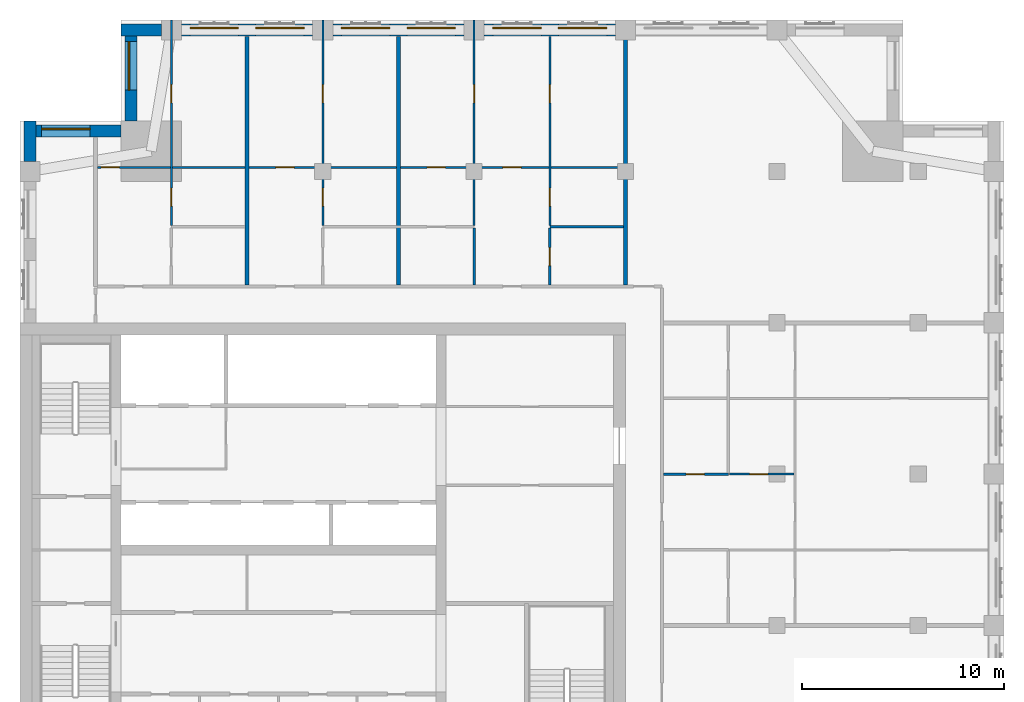
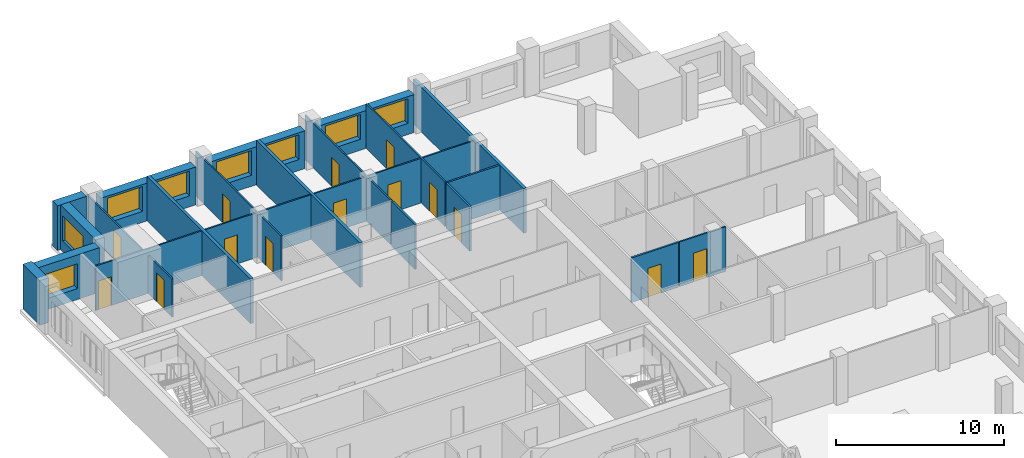
# One storey, part 7 of 11: 20 walls, 14 doors, 8 windows, 22 openings.
"""IFC4 building model written with IfcOpenShell, lengths in metres."""

from ifc_helpers import new_model, si_unit, direction, frame, frame_2d, origin, place, context, subcontext, project, spatial, rectangle, extrude, material, layer, layer_set, type_object, element, fill, save


model = new_model("IFC4")

# Units and contexts
model_context = context("Model", 3, precision=1e-05, world=origin(), true_north=direction((0.0, 1.0)))
body_context = subcontext(model_context, "Body", "Model", "MODEL_VIEW")
ifc_project = project(units=[si_unit("LENGTHUNIT", "METRE"), si_unit("AREAUNIT", "SQUARE_METRE"), si_unit("VOLUMEUNIT", "CUBIC_METRE"), si_unit("PLANEANGLEUNIT", "RADIAN"), si_unit("MASSUNIT", "GRAM", prefix="KILO")], contexts=[model_context])

# Site, building, storey
site_placement = place(None, origin())
site = spatial("IfcSite", under=ifc_project, at=site_placement, CompositionType="ELEMENT")
building_placement = place(site_placement, origin())
building = spatial("IfcBuilding", under=site, at=building_placement, Name="Tamorin Gate", CompositionType="ELEMENT")
storey_placement = place(building_placement, frame((0.0, 0.0, 230.199951171875)))
storey = spatial("IfcBuildingStorey", under=building, at=storey_placement, Name="L57", CompositionType="ELEMENT", Elevation=230.199951171875)

# Wall, openings, windows
ifc_material_1 = material(Name="Precast concrete C40/50", Category="concrete")
ifc_layer_1 = layer(ifc_material_1, 0.60009765625)
ifc_layer_set_1 = layer_set([ifc_layer_1], Name="Precast concrete C40/50")
wall_type_1 = type_object("IfcWallType", Name="Board-marked concrete facade panel 600", PredefinedType="SOLIDWALL", material=ifc_layer_set_1)
wall_1_placement = place(storey_placement, frame((59.5, 97.0, 0.0), z_axis=(0.0, 0.0, 1.0), x_axis=(-1.0, 0.0, 0.0)))
wall_1 = element("IfcWall", 1, at=wall_1_placement, inside=storey, type_object=wall_type_1, Name="Facade panel", PredefinedType="SOLIDWALL", context=body_context, shape_type="SweptSolid", body=[
    extrude(rectangle(XDim=6.5, YDim=0.60009765625, at=frame_2d((3.25, 0.0))), origin(), (0.0, 0.0, 1.0), 2.75),
])
opening_1_placement = place(wall_1_placement, frame((3.675048828125, 0.0, 0.800048828125)))
opening_1 = element("IfcOpeningElement", 2, at=opening_1_placement, cuts=wall_1, Name="Opening WN1", PredefinedType="OPENING", context=body_context, shape_type="SweptSolid", body=[
    extrude(rectangle(XDim=2.39990234375, YDim=1.800048828125, at=frame_2d((1.199951171875, 0.89990234375))), frame((0.0, 0.31005859375, 0.0), z_axis=(0.0, -1.0, 0.0), x_axis=(1.0, 0.0, 0.0)), (0.0, 0.0, 1.0), 0.6201171875),
])
opening_2_placement = place(wall_1_placement, frame((0.425048828125, 0.0, 0.800048828125)))
opening_2 = element("IfcOpeningElement", 3, at=opening_2_placement, cuts=wall_1, Name="Opening WN1", PredefinedType="OPENING", context=body_context, shape_type="SweptSolid", body=[
    extrude(rectangle(XDim=2.39990234375, YDim=1.800048828125, at=frame_2d((1.199951171875, 0.89990234375))), frame((0.0, 0.31005859375, 0.0), z_axis=(0.0, -1.0, 0.0), x_axis=(1.0, 0.0, 0.0)), (0.0, 0.0, 1.0), 0.6201171875),
])
ifc_material_2 = material(Name="Clear glass in aluminium frame", Category="aluminium")
window_type = type_object("IfcWindowType", Name="Deep-set window 2400x1800", PartitioningType="SINGLE_PANEL", PredefinedType="WINDOW", material=ifc_material_2)
window_1_placement = place(opening_1_placement, origin())
window_1 = element("IfcWindow", 4, at=window_1_placement, inside=storey, type_object=window_type, Name="Deep-set window", OverallHeight=1.800048828125, OverallWidth=2.39990234375, PartitioningType="SINGLE_PANEL", PredefinedType="WINDOW", context=body_context, shape_type="SweptSolid", body=[
    extrude(rectangle(XDim=2.39990234375, YDim=1.800048828125, at=frame_2d((1.199951171875, 0.89990234375))), frame((0.0, -0.070068359375, 0.0), z_axis=(0.0, -1.0, 0.0), x_axis=(1.0, 0.0, 0.0)), (0.0, 0.0, 1.0), 0.06005859375),
])
fill(opening_1, window_1)
window_2_placement = place(opening_2_placement, origin())
window_2 = element("IfcWindow", 5, at=window_2_placement, inside=storey, type_object=window_type, Name="Deep-set window", OverallHeight=1.800048828125, OverallWidth=2.39990234375, PartitioningType="SINGLE_PANEL", PredefinedType="WINDOW", context=body_context, shape_type="SweptSolid", body=[
    extrude(rectangle(XDim=2.39990234375, YDim=1.800048828125, at=frame_2d((1.199951171875, 0.89990234375))), frame((0.0, -0.070068359375, 0.0), z_axis=(0.0, -1.0, 0.0), x_axis=(1.0, 0.0, 0.0)), (0.0, 0.0, 1.0), 0.06005859375),
])
fill(opening_2, window_2)

wall_2_placement = place(storey_placement, frame((52.0, 97.0, 0.0), z_axis=(0.0, 0.0, 1.0), x_axis=(-1.0, 0.0, 0.0)))
wall_2 = element("IfcWall", 6, at=wall_2_placement, inside=storey, type_object=wall_type_1, Name="Facade panel", PredefinedType="SOLIDWALL", context=body_context, shape_type="SweptSolid", body=[
    extrude(rectangle(XDim=6.5, YDim=0.60009765625, at=frame_2d((3.25, 0.0))), origin(), (0.0, 0.0, 1.0), 2.75),
])
opening_3_placement = place(wall_2_placement, frame((3.675048828125, 0.0, 0.800048828125)))
opening_3 = element("IfcOpeningElement", 7, at=opening_3_placement, cuts=wall_2, Name="Opening WN1", PredefinedType="OPENING", context=body_context, shape_type="SweptSolid", body=[
    extrude(rectangle(XDim=2.39990234375, YDim=1.800048828125, at=frame_2d((1.199951171875, 0.89990234375))), frame((0.0, 0.31005859375, 0.0), z_axis=(0.0, -1.0, 0.0), x_axis=(1.0, 0.0, 0.0)), (0.0, 0.0, 1.0), 0.6201171875),
])
opening_4_placement = place(wall_2_placement, frame((0.425048828125, 0.0, 0.800048828125)))
opening_4 = element("IfcOpeningElement", 8, at=opening_4_placement, cuts=wall_2, Name="Opening WN1", PredefinedType="OPENING", context=body_context, shape_type="SweptSolid", body=[
    extrude(rectangle(XDim=2.39990234375, YDim=1.800048828125, at=frame_2d((1.199951171875, 0.89990234375))), frame((0.0, 0.31005859375, 0.0), z_axis=(0.0, -1.0, 0.0), x_axis=(1.0, 0.0, 0.0)), (0.0, 0.0, 1.0), 0.6201171875),
])
window_3_placement = place(opening_3_placement, origin())
window_3 = element("IfcWindow", 9, at=window_3_placement, inside=storey, type_object=window_type, Name="Deep-set window", OverallHeight=1.800048828125, OverallWidth=2.39990234375, PartitioningType="SINGLE_PANEL", PredefinedType="WINDOW", context=body_context, shape_type="SweptSolid", body=[
    extrude(rectangle(XDim=2.39990234375, YDim=1.800048828125, at=frame_2d((1.199951171875, 0.89990234375))), frame((0.0, -0.070068359375, 0.0), z_axis=(0.0, -1.0, 0.0), x_axis=(1.0, 0.0, 0.0)), (0.0, 0.0, 1.0), 0.06005859375),
])
fill(opening_3, window_3)
window_4_placement = place(opening_4_placement, origin())
window_4 = element("IfcWindow", 10, at=window_4_placement, inside=storey, type_object=window_type, Name="Deep-set window", OverallHeight=1.800048828125, OverallWidth=2.39990234375, PartitioningType="SINGLE_PANEL", PredefinedType="WINDOW", context=body_context, shape_type="SweptSolid", body=[
    extrude(rectangle(XDim=2.39990234375, YDim=1.800048828125, at=frame_2d((1.199951171875, 0.89990234375))), frame((0.0, -0.070068359375, 0.0), z_axis=(0.0, -1.0, 0.0), x_axis=(1.0, 0.0, 0.0)), (0.0, 0.0, 1.0), 0.06005859375),
])
fill(opening_4, window_4)

wall_3_placement = place(storey_placement, frame((44.5, 97.0, 0.0), z_axis=(0.0, 0.0, 1.0), x_axis=(-1.0, 0.0, 0.0)))
wall_3 = element("IfcWall", 11, at=wall_3_placement, inside=storey, type_object=wall_type_1, Name="Facade panel", PredefinedType="SOLIDWALL", context=body_context, shape_type="SweptSolid", body=[
    extrude(rectangle(XDim=6.5, YDim=0.60009765625, at=frame_2d((3.25, 0.0))), origin(), (0.0, 0.0, 1.0), 2.75),
])
opening_5_placement = place(wall_3_placement, frame((3.675048828125, 0.0, 0.800048828125)))
opening_5 = element("IfcOpeningElement", 12, at=opening_5_placement, cuts=wall_3, Name="Opening WN1", PredefinedType="OPENING", context=body_context, shape_type="SweptSolid", body=[
    extrude(rectangle(XDim=2.39990234375, YDim=1.800048828125, at=frame_2d((1.199951171875, 0.89990234375))), frame((0.0, 0.31005859375, 0.0), z_axis=(0.0, -1.0, 0.0), x_axis=(1.0, 0.0, 0.0)), (0.0, 0.0, 1.0), 0.6201171875),
])
opening_6_placement = place(wall_3_placement, frame((0.425048828125, 0.0, 0.800048828125)))
opening_6 = element("IfcOpeningElement", 13, at=opening_6_placement, cuts=wall_3, Name="Opening WN1", PredefinedType="OPENING", context=body_context, shape_type="SweptSolid", body=[
    extrude(rectangle(XDim=2.39990234375, YDim=1.800048828125, at=frame_2d((1.199951171875, 0.89990234375))), frame((0.0, 0.31005859375, 0.0), z_axis=(0.0, -1.0, 0.0), x_axis=(1.0, 0.0, 0.0)), (0.0, 0.0, 1.0), 0.6201171875),
])
window_5_placement = place(opening_5_placement, origin())
window_5 = element("IfcWindow", 14, at=window_5_placement, inside=storey, type_object=window_type, Name="Deep-set window", OverallHeight=1.800048828125, OverallWidth=2.39990234375, PartitioningType="SINGLE_PANEL", PredefinedType="WINDOW", context=body_context, shape_type="SweptSolid", body=[
    extrude(rectangle(XDim=2.39990234375, YDim=1.800048828125, at=frame_2d((1.199951171875, 0.89990234375))), frame((0.0, -0.070068359375, 0.0), z_axis=(0.0, -1.0, 0.0), x_axis=(1.0, 0.0, 0.0)), (0.0, 0.0, 1.0), 0.06005859375),
])
fill(opening_5, window_5)
window_6_placement = place(opening_6_placement, origin())
window_6 = element("IfcWindow", 15, at=window_6_placement, inside=storey, type_object=window_type, Name="Deep-set window", OverallHeight=1.800048828125, OverallWidth=2.39990234375, PartitioningType="SINGLE_PANEL", PredefinedType="WINDOW", context=body_context, shape_type="SweptSolid", body=[
    extrude(rectangle(XDim=2.39990234375, YDim=1.800048828125, at=frame_2d((1.199951171875, 0.89990234375))), frame((0.0, -0.070068359375, 0.0), z_axis=(0.0, -1.0, 0.0), x_axis=(1.0, 0.0, 0.0)), (0.0, 0.0, 1.0), 0.06005859375),
])
fill(opening_6, window_6)

# Wall
wall_4_placement = place(storey_placement, frame((37.0, 97.0, 0.0), z_axis=(0.0, 0.0, 1.0), x_axis=(-1.0, 0.0, 0.0)))
element("IfcWall", 16, at=wall_4_placement, inside=storey, type_object=wall_type_1, Name="Facade panel", PredefinedType="SOLIDWALL", context=body_context, shape_type="SweptSolid", body=[
    extrude(rectangle(XDim=2.0, YDim=0.60009765625, at=frame_2d((1.0, 0.0))), origin(), (0.0, 0.0, 1.0), 3.25),
])

# Wall, opening, window
wall_5_placement = place(storey_placement, frame((35.5, 96.699951171875, 0.0), z_axis=(0.0, 0.0, 1.0), x_axis=(0.0, -1.0, 0.0)))
wall_5 = element("IfcWall", 17, at=wall_5_placement, inside=storey, type_object=wall_type_1, Name="Facade panel", PredefinedType="SOLIDWALL", context=body_context, shape_type="SweptSolid", body=[
    extrude(rectangle(XDim=4.199951171875, YDim=0.60009765625, at=frame_2d((2.10009765625, 0.0))), origin(), (0.0, 0.0, 1.0), 3.25),
])
opening_7_placement = place(wall_5_placement, frame((0.27490234375, 0.0, 0.800048828125)))
opening_7 = element("IfcOpeningElement", 18, at=opening_7_placement, cuts=wall_5, Name="Opening WN1", PredefinedType="OPENING", context=body_context, shape_type="SweptSolid", body=[
    extrude(rectangle(XDim=2.39990234375, YDim=1.800048828125, at=frame_2d((1.199951171875, 0.89990234375))), frame((0.0, 0.31005859375, 0.0), z_axis=(0.0, -1.0, 0.0), x_axis=(1.0, 0.0, 0.0)), (0.0, 0.0, 1.0), 0.6201171875),
])
window_7_placement = place(opening_7_placement, origin())
window_7 = element("IfcWindow", 19, at=window_7_placement, inside=storey, type_object=window_type, Name="Deep-set window", OverallHeight=1.800048828125, OverallWidth=2.39990234375, PartitioningType="SINGLE_PANEL", PredefinedType="WINDOW", context=body_context, shape_type="SweptSolid", body=[
    extrude(rectangle(XDim=2.39990234375, YDim=1.800048828125, at=frame_2d((1.199951171875, 0.89990234375))), frame((0.0, -0.070068359375, 0.0), z_axis=(0.0, -1.0, 0.0), x_axis=(1.0, 0.0, 0.0)), (0.0, 0.0, 1.0), 0.06005859375),
])
fill(opening_7, window_7)

wall_6_placement = place(storey_placement, frame((35.0, 92.0, 0.0), z_axis=(0.0, 0.0, 1.0), x_axis=(-1.0, 0.0, 0.0)))
wall_6 = element("IfcWall", 20, at=wall_6_placement, inside=storey, type_object=wall_type_1, Name="Facade panel", PredefinedType="SOLIDWALL", context=body_context, shape_type="SweptSolid", body=[
    extrude(rectangle(XDim=4.199951171875, YDim=0.60009765625, at=frame_2d((2.10009765625, 0.0))), origin(), (0.0, 0.0, 1.0), 3.25),
])
opening_8_placement = place(wall_6_placement, frame((1.52490234375, 0.0, 0.800048828125)))
opening_8 = element("IfcOpeningElement", 21, at=opening_8_placement, cuts=wall_6, Name="Opening WN1", PredefinedType="OPENING", context=body_context, shape_type="SweptSolid", body=[
    extrude(rectangle(XDim=2.39990234375, YDim=1.800048828125, at=frame_2d((1.199951171875, 0.89990234375))), frame((0.0, 0.31005859375, 0.0), z_axis=(0.0, -1.0, 0.0), x_axis=(1.0, 0.0, 0.0)), (0.0, 0.0, 1.0), 0.6201171875),
])
window_8_placement = place(opening_8_placement, origin())
window_8 = element("IfcWindow", 22, at=window_8_placement, inside=storey, type_object=window_type, Name="Deep-set window", OverallHeight=1.800048828125, OverallWidth=2.39990234375, PartitioningType="SINGLE_PANEL", PredefinedType="WINDOW", context=body_context, shape_type="SweptSolid", body=[
    extrude(rectangle(XDim=2.39990234375, YDim=1.800048828125, at=frame_2d((1.199951171875, 0.89990234375))), frame((0.0, -0.070068359375, 0.0), z_axis=(0.0, -1.0, 0.0), x_axis=(1.0, 0.0, 0.0)), (0.0, 0.0, 1.0), 0.06005859375),
])
fill(opening_8, window_8)

# Walls
wall_7_placement = place(storey_placement, frame((30.5, 92.5, 0.0), z_axis=(0.0, 0.0, 1.0), x_axis=(0.0, -1.0, 0.0)))
element("IfcWall", 23, at=wall_7_placement, inside=storey, type_object=wall_type_1, Name="Facade panel", PredefinedType="SOLIDWALL", context=body_context, shape_type="SweptSolid", body=[
    extrude(rectangle(XDim=2.0, YDim=0.60009765625, at=frame_2d((1.0, 0.0))), origin(), (0.0, 0.0, 1.0), 3.25),
])
ifc_material_3 = material(Name="Gypsum board partition")
ifc_layer_2 = layer(ifc_material_3, 0.199951171875)
ifc_layer_set_2 = layer_set([ifc_layer_2], Name="Demising wall 200")
wall_type_2 = type_object("IfcWallType", Name="Demising wall 200", PredefinedType="PARTITIONING", material=ifc_layer_set_2)
for number, where, z_axis, x_axis, name in (
    (24, (41.25, 84.375, 0.0), (0.0, 0.0, 1.0), (0.0, 1.0, 0.0), "Demising wall 200"),
    (25, (48.75, 84.375, 0.0), (0.0, 0.0, 1.0), (0.0, 1.0, 0.0), "Demising wall 200"),
):
    element("IfcWall", number, at=place(storey_placement, frame(where, z_axis=z_axis, x_axis=x_axis)), inside=storey, type_object=wall_type_2, Name=name, PredefinedType="PARTITIONING", context=body_context, shape_type="SweptSolid", body=[
        extrude(rectangle(XDim=12.31494140625, YDim=0.199951171875, at=frame_2d((6.157470703125, 0.0))), origin(), (0.0, 0.0, 1.0), 3.25),
    ])
wall_8_placement = place(storey_placement, frame((60.0, 84.375, 0.0), z_axis=(0.0, 0.0, 1.0), x_axis=(0.0, 1.0, 0.0)))
element("IfcWall", 26, at=wall_8_placement, inside=storey, type_object=wall_type_2, Name="Demising wall 200", PredefinedType="PARTITIONING", context=body_context, shape_type="SweptSolid", body=[
    extrude(rectangle(XDim=13.125, YDim=0.199951171875, at=frame_2d((6.5625, 0.0))), origin(), (0.0, 0.0, 1.0), 3.25),
])

# Wall, opening, door
ifc_layer_3 = layer(ifc_material_3, 0.10009765625)
ifc_layer_set_3 = layer_set([ifc_layer_3], Name="Room partition 100")
wall_type_3 = type_object("IfcWallType", Name="Room partition 100", PredefinedType="PARTITIONING", material=ifc_layer_set_3)
wall_9_placement = place(storey_placement, frame((65.16259765625, 75.0, 0.0), z_axis=(0.0, 0.0, 1.0), x_axis=(1.0, 0.0, 0.0)))
wall_9 = element("IfcWall", 27, at=wall_9_placement, inside=storey, type_object=wall_type_3, Name="Room partition 100", PredefinedType="PARTITIONING", context=body_context, shape_type="SweptSolid", body=[
    extrude(rectangle(XDim=3.1875, YDim=0.10009765625, at=frame_2d((1.59375, 0.0))), origin(), (0.0, 0.0, 1.0), 3.25),
])
opening_9_placement = place(wall_9_placement, frame((0.987548828125, 0.0, 0.0)))
opening_9 = element("IfcOpeningElement", 28, at=opening_9_placement, cuts=wall_9, Name="Opening DR7046", PredefinedType="OPENING", context=body_context, shape_type="SweptSolid", body=[
    extrude(rectangle(XDim=0.89990234375, YDim=2.10009765625, at=frame_2d((0.449951171875, 1.050048828125))), frame((0.0, 0.06005859375, 0.0), z_axis=(0.0, -1.0, 0.0), x_axis=(1.0, 0.0, 0.0)), (0.0, 0.0, 1.0), 0.1201171875),
])
ifc_material_4 = material(Name="Timber door leaf", Category="wood")
door_type = type_object("IfcDoorType", Name="Door 900 x 2100", OperationType="NOTDEFINED", PredefinedType="DOOR", material=ifc_material_4)
door_1_placement = place(opening_9_placement, origin())
door_1 = element("IfcDoor", 29, at=door_1_placement, inside=storey, type_object=door_type, Name="Door DR7046", OperationType="SINGLE_SWING_LEFT", OverallHeight=2.10009765625, OverallWidth=0.89990234375, PredefinedType="DOOR", context=body_context, shape_type="SweptSolid", body=[
    extrude(rectangle(XDim=0.89990234375, YDim=2.10009765625, at=frame_2d((0.449951171875, 1.050048828125))), frame((0.0, 0.02490234375, 0.0), z_axis=(0.0, -1.0, 0.0), x_axis=(1.0, 0.0, 0.0)), (0.0, 0.0, 1.0), 0.050048828125),
])
fill(opening_9, door_1)

# Wall, openings, doors
wall_10_placement = place(storey_placement, frame((33.85009765625, 90.199951171875, 0.0), z_axis=(0.0, 0.0, 1.0), x_axis=(1.0, 0.0, 0.0)))
wall_10 = element("IfcWall", 30, at=wall_10_placement, inside=storey, type_object=wall_type_3, Name="Room partition 100", PredefinedType="PARTITIONING", context=body_context, shape_type="SweptSolid", body=[
    extrude(rectangle(XDim=26.0498046875, YDim=0.10009765625, at=frame_2d((13.02490234375, 0.0))), origin(), (0.0, 0.0, 1.0), 3.25),
])
opening_10_placement = place(wall_10_placement, frame((0.175048828125, 0.0, 0.0)))
opening_10 = element("IfcOpeningElement", 31, at=opening_10_placement, cuts=wall_10, Name="Opening DR7023", PredefinedType="OPENING", context=body_context, shape_type="SweptSolid", body=[
    extrude(rectangle(XDim=0.89990234375, YDim=2.10009765625, at=frame_2d((0.449951171875, 1.050048828125))), frame((0.0, 0.06005859375, 0.0), z_axis=(0.0, -1.0, 0.0), x_axis=(1.0, 0.0, 0.0)), (0.0, 0.0, 1.0), 0.1201171875),
])
opening_11_placement = place(wall_10_placement, frame((8.824951171875, 0.0, 0.0)))
opening_11 = element("IfcOpeningElement", 32, at=opening_11_placement, cuts=wall_10, Name="Opening DR7028", PredefinedType="OPENING", context=body_context, shape_type="SweptSolid", body=[
    extrude(rectangle(XDim=0.89990234375, YDim=2.10009765625, at=frame_2d((0.449951171875, 1.050048828125))), frame((0.0, 0.06005859375, 0.0), z_axis=(0.0, -1.0, 0.0), x_axis=(1.0, 0.0, 0.0)), (0.0, 0.0, 1.0), 0.1201171875),
])
opening_12_placement = place(wall_10_placement, frame((16.324951171875, 0.0, 0.0)))
opening_12 = element("IfcOpeningElement", 33, at=opening_12_placement, cuts=wall_10, Name="Opening DR7032", PredefinedType="OPENING", context=body_context, shape_type="SweptSolid", body=[
    extrude(rectangle(XDim=0.89990234375, YDim=2.10009765625, at=frame_2d((0.449951171875, 1.050048828125))), frame((0.0, 0.06005859375, 0.0), z_axis=(0.0, -1.0, 0.0), x_axis=(1.0, 0.0, 0.0)), (0.0, 0.0, 1.0), 0.1201171875),
])
opening_13_placement = place(wall_10_placement, frame((20.074951171875, 0.0, 0.0)))
opening_13 = element("IfcOpeningElement", 34, at=opening_13_placement, cuts=wall_10, Name="Opening DR7035", PredefinedType="OPENING", context=body_context, shape_type="SweptSolid", body=[
    extrude(rectangle(XDim=0.89990234375, YDim=2.10009765625, at=frame_2d((0.449951171875, 1.050048828125))), frame((0.0, 0.06005859375, 0.0), z_axis=(0.0, -1.0, 0.0), x_axis=(1.0, 0.0, 0.0)), (0.0, 0.0, 1.0), 0.1201171875),
])
door_2_placement = place(opening_10_placement, origin())
door_2 = element("IfcDoor", 35, at=door_2_placement, inside=storey, type_object=door_type, Name="Door DR7023", OperationType="SINGLE_SWING_RIGHT", OverallHeight=2.10009765625, OverallWidth=0.89990234375, PredefinedType="DOOR", context=body_context, shape_type="SweptSolid", body=[
    extrude(rectangle(XDim=0.89990234375, YDim=2.10009765625, at=frame_2d((0.449951171875, 1.050048828125))), frame((0.0, 0.02490234375, 0.0), z_axis=(0.0, -1.0, 0.0), x_axis=(1.0, 0.0, 0.0)), (0.0, 0.0, 1.0), 0.050048828125),
])
fill(opening_10, door_2)
door_3_placement = place(opening_11_placement, origin())
door_3 = element("IfcDoor", 36, at=door_3_placement, inside=storey, type_object=door_type, Name="Door DR7028", OperationType="SINGLE_SWING_RIGHT", OverallHeight=2.10009765625, OverallWidth=0.89990234375, PredefinedType="DOOR", context=body_context, shape_type="SweptSolid", body=[
    extrude(rectangle(XDim=0.89990234375, YDim=2.10009765625, at=frame_2d((0.449951171875, 1.050048828125))), frame((0.0, 0.02490234375, 0.0), z_axis=(0.0, -1.0, 0.0), x_axis=(1.0, 0.0, 0.0)), (0.0, 0.0, 1.0), 0.050048828125),
])
fill(opening_11, door_3)
door_4_placement = place(opening_12_placement, origin())
door_4 = element("IfcDoor", 37, at=door_4_placement, inside=storey, type_object=door_type, Name="Door DR7032", OperationType="SINGLE_SWING_RIGHT", OverallHeight=2.10009765625, OverallWidth=0.89990234375, PredefinedType="DOOR", context=body_context, shape_type="SweptSolid", body=[
    extrude(rectangle(XDim=0.89990234375, YDim=2.10009765625, at=frame_2d((0.449951171875, 1.050048828125))), frame((0.0, 0.02490234375, 0.0), z_axis=(0.0, -1.0, 0.0), x_axis=(1.0, 0.0, 0.0)), (0.0, 0.0, 1.0), 0.050048828125),
])
fill(opening_12, door_4)
door_5_placement = place(opening_13_placement, origin())
door_5 = element("IfcDoor", 38, at=door_5_placement, inside=storey, type_object=door_type, Name="Door DR7035", OperationType="SINGLE_SWING_RIGHT", OverallHeight=2.10009765625, OverallWidth=0.89990234375, PredefinedType="DOOR", context=body_context, shape_type="SweptSolid", body=[
    extrude(rectangle(XDim=0.89990234375, YDim=2.10009765625, at=frame_2d((0.449951171875, 1.050048828125))), frame((0.0, 0.02490234375, 0.0), z_axis=(0.0, -1.0, 0.0), x_axis=(1.0, 0.0, 0.0)), (0.0, 0.0, 1.0), 0.050048828125),
])
fill(opening_13, door_5)

wall_11_placement = place(storey_placement, frame((37.5, 87.3125, 0.0), z_axis=(0.0, 0.0, 1.0), x_axis=(0.0, 1.0, 0.0)))
wall_11 = element("IfcWall", 39, at=wall_11_placement, inside=storey, type_object=wall_type_3, Name="Room partition 100", PredefinedType="PARTITIONING", context=body_context, shape_type="SweptSolid", body=[
    extrude(rectangle(XDim=10.1875, YDim=0.10009765625, at=frame_2d((5.09375, 0.0))), origin(), (0.0, 0.0, 1.0), 2.75),
])
opening_14_placement = place(wall_11_placement, frame((0.96240234375, 0.0, 0.0)))
opening_14 = element("IfcOpeningElement", 40, at=opening_14_placement, cuts=wall_11, Name="Opening DR7024", PredefinedType="OPENING", context=body_context, shape_type="SweptSolid", body=[
    extrude(rectangle(XDim=0.89990234375, YDim=2.10009765625, at=frame_2d((0.449951171875, 1.050048828125))), frame((0.0, 0.06005859375, 0.0), z_axis=(0.0, -1.0, 0.0), x_axis=(1.0, 0.0, 0.0)), (0.0, 0.0, 1.0), 0.1201171875),
])
opening_15_placement = place(wall_11_placement, frame((6.08740234375, 0.0, 0.0)))
opening_15 = element("IfcOpeningElement", 41, at=opening_15_placement, cuts=wall_11, Name="Opening DR7026", PredefinedType="OPENING", context=body_context, shape_type="SweptSolid", body=[
    extrude(rectangle(XDim=0.89990234375, YDim=2.10009765625, at=frame_2d((0.449951171875, 1.050048828125))), frame((0.0, 0.06005859375, 0.0), z_axis=(0.0, -1.0, 0.0), x_axis=(1.0, 0.0, 0.0)), (0.0, 0.0, 1.0), 0.1201171875),
])
door_6_placement = place(opening_14_placement, origin())
door_6 = element("IfcDoor", 42, at=door_6_placement, inside=storey, type_object=door_type, Name="Door DR7024", OperationType="SINGLE_SWING_RIGHT", OverallHeight=2.10009765625, OverallWidth=0.89990234375, PredefinedType="DOOR", context=body_context, shape_type="SweptSolid", body=[
    extrude(rectangle(XDim=0.89990234375, YDim=2.10009765625, at=frame_2d((0.449951171875, 1.050048828125))), frame((0.0, 0.02490234375, 0.0), z_axis=(0.0, -1.0, 0.0), x_axis=(1.0, 0.0, 0.0)), (0.0, 0.0, 1.0), 0.050048828125),
])
fill(opening_14, door_6)
door_7_placement = place(opening_15_placement, origin())
door_7 = element("IfcDoor", 43, at=door_7_placement, inside=storey, type_object=door_type, Name="Door DR7026", OperationType="SINGLE_SWING_LEFT", OverallHeight=2.10009765625, OverallWidth=0.89990234375, PredefinedType="DOOR", context=body_context, shape_type="SweptSolid", body=[
    extrude(rectangle(XDim=0.89990234375, YDim=2.10009765625, at=frame_2d((0.449951171875, 1.050048828125))), frame((0.0, 0.02490234375, 0.0), z_axis=(0.0, -1.0, 0.0), x_axis=(1.0, 0.0, 0.0)), (0.0, 0.0, 1.0), 0.050048828125),
])
fill(opening_15, door_7)

wall_12_placement = place(storey_placement, frame((45.0, 87.3125, 0.0), z_axis=(0.0, 0.0, 1.0), x_axis=(0.0, 1.0, 0.0)))
wall_12 = element("IfcWall", 44, at=wall_12_placement, inside=storey, type_object=wall_type_3, Name="Room partition 100", PredefinedType="PARTITIONING", context=body_context, shape_type="SweptSolid", body=[
    extrude(rectangle(XDim=10.1875, YDim=0.10009765625, at=frame_2d((5.09375, 0.0))), origin(), (0.0, 0.0, 1.0), 3.25),
])
opening_16_placement = place(wall_12_placement, frame((0.96240234375, 0.0, 0.0)))
opening_16 = element("IfcOpeningElement", 45, at=opening_16_placement, cuts=wall_12, Name="Opening DR7029", PredefinedType="OPENING", context=body_context, shape_type="SweptSolid", body=[
    extrude(rectangle(XDim=0.89990234375, YDim=2.10009765625, at=frame_2d((0.449951171875, 1.050048828125))), frame((0.0, 0.06005859375, 0.0), z_axis=(0.0, -1.0, 0.0), x_axis=(1.0, 0.0, 0.0)), (0.0, 0.0, 1.0), 0.1201171875),
])
opening_17_placement = place(wall_12_placement, frame((6.08740234375, 0.0, 0.0)))
opening_17 = element("IfcOpeningElement", 46, at=opening_17_placement, cuts=wall_12, Name="Opening DR7031", PredefinedType="OPENING", context=body_context, shape_type="SweptSolid", body=[
    extrude(rectangle(XDim=0.89990234375, YDim=2.10009765625, at=frame_2d((0.449951171875, 1.050048828125))), frame((0.0, 0.06005859375, 0.0), z_axis=(0.0, -1.0, 0.0), x_axis=(1.0, 0.0, 0.0)), (0.0, 0.0, 1.0), 0.1201171875),
])
door_8_placement = place(opening_16_placement, origin())
door_8 = element("IfcDoor", 47, at=door_8_placement, inside=storey, type_object=door_type, Name="Door DR7029", OperationType="SINGLE_SWING_RIGHT", OverallHeight=2.10009765625, OverallWidth=0.89990234375, PredefinedType="DOOR", context=body_context, shape_type="SweptSolid", body=[
    extrude(rectangle(XDim=0.89990234375, YDim=2.10009765625, at=frame_2d((0.449951171875, 1.050048828125))), frame((0.0, 0.02490234375, 0.0), z_axis=(0.0, -1.0, 0.0), x_axis=(1.0, 0.0, 0.0)), (0.0, 0.0, 1.0), 0.050048828125),
])
fill(opening_16, door_8)
door_9_placement = place(opening_17_placement, origin())
door_9 = element("IfcDoor", 48, at=door_9_placement, inside=storey, type_object=door_type, Name="Door DR7031", OperationType="SINGLE_SWING_LEFT", OverallHeight=2.10009765625, OverallWidth=0.89990234375, PredefinedType="DOOR", context=body_context, shape_type="SweptSolid", body=[
    extrude(rectangle(XDim=0.89990234375, YDim=2.10009765625, at=frame_2d((0.449951171875, 1.050048828125))), frame((0.0, 0.02490234375, 0.0), z_axis=(0.0, -1.0, 0.0), x_axis=(1.0, 0.0, 0.0)), (0.0, 0.0, 1.0), 0.050048828125),
])
fill(opening_17, door_9)

# Wall, opening, door
wall_13_placement = place(storey_placement, frame((52.5, 87.3125, 0.0), z_axis=(0.0, 0.0, 1.0), x_axis=(0.0, 1.0, 0.0)))
wall_13 = element("IfcWall", 49, at=wall_13_placement, inside=storey, type_object=wall_type_3, Name="Room partition 100", PredefinedType="PARTITIONING", context=body_context, shape_type="SweptSolid", body=[
    extrude(rectangle(XDim=10.1875, YDim=0.10009765625, at=frame_2d((5.09375, 0.0))), origin(), (0.0, 0.0, 1.0), 3.25),
])
opening_18_placement = place(wall_13_placement, frame((6.08740234375, 0.0, 0.0)))
opening_18 = element("IfcOpeningElement", 50, at=opening_18_placement, cuts=wall_13, Name="Opening DR7038", PredefinedType="OPENING", context=body_context, shape_type="SweptSolid", body=[
    extrude(rectangle(XDim=0.89990234375, YDim=2.10009765625, at=frame_2d((0.449951171875, 1.050048828125))), frame((0.0, 0.06005859375, 0.0), z_axis=(0.0, -1.0, 0.0), x_axis=(1.0, 0.0, 0.0)), (0.0, 0.0, 1.0), 0.1201171875),
])
door_10_placement = place(opening_18_placement, origin())
door_10 = element("IfcDoor", 51, at=door_10_placement, inside=storey, type_object=door_type, Name="Door DR7038", OperationType="SINGLE_SWING_LEFT", OverallHeight=2.10009765625, OverallWidth=0.89990234375, PredefinedType="DOOR", context=body_context, shape_type="SweptSolid", body=[
    extrude(rectangle(XDim=0.89990234375, YDim=2.10009765625, at=frame_2d((0.449951171875, 1.050048828125))), frame((0.0, 0.02490234375, 0.0), z_axis=(0.0, -1.0, 0.0), x_axis=(1.0, 0.0, 0.0)), (0.0, 0.0, 1.0), 0.050048828125),
])
fill(opening_18, door_10)

# Wall, openings, doors
wall_14_placement = place(storey_placement, frame((56.25, 87.3125, 0.0), z_axis=(0.0, 0.0, 1.0), x_axis=(0.0, 1.0, 0.0)))
wall_14 = element("IfcWall", 52, at=wall_14_placement, inside=storey, type_object=wall_type_3, Name="Room partition 100", PredefinedType="PARTITIONING", context=body_context, shape_type="SweptSolid", body=[
    extrude(rectangle(XDim=9.37744140625, YDim=0.10009765625, at=frame_2d((4.688720703125, 0.0))), origin(), (0.0, 0.0, 1.0), 3.25),
])
opening_19_placement = place(wall_14_placement, frame((0.96240234375, 0.0, 0.0)))
opening_19 = element("IfcOpeningElement", 53, at=opening_19_placement, cuts=wall_14, Name="Opening DR7036", PredefinedType="OPENING", context=body_context, shape_type="SweptSolid", body=[
    extrude(rectangle(XDim=0.89990234375, YDim=2.10009765625, at=frame_2d((0.449951171875, 1.050048828125))), frame((0.0, 0.06005859375, 0.0), z_axis=(0.0, -1.0, 0.0), x_axis=(1.0, 0.0, 0.0)), (0.0, 0.0, 1.0), 0.1201171875),
])
opening_20_placement = place(wall_14_placement, frame((6.08740234375, 0.0, 0.0)))
opening_20 = element("IfcOpeningElement", 54, at=opening_20_placement, cuts=wall_14, Name="Opening DR7039", PredefinedType="OPENING", context=body_context, shape_type="SweptSolid", body=[
    extrude(rectangle(XDim=0.89990234375, YDim=2.10009765625, at=frame_2d((0.449951171875, 1.050048828125))), frame((0.0, 0.06005859375, 0.0), z_axis=(0.0, -1.0, 0.0), x_axis=(1.0, 0.0, 0.0)), (0.0, 0.0, 1.0), 0.1201171875),
])
door_11_placement = place(opening_19_placement, origin())
door_11 = element("IfcDoor", 55, at=door_11_placement, inside=storey, type_object=door_type, Name="Door DR7036", OperationType="SINGLE_SWING_RIGHT", OverallHeight=2.10009765625, OverallWidth=0.89990234375, PredefinedType="DOOR", context=body_context, shape_type="SweptSolid", body=[
    extrude(rectangle(XDim=0.89990234375, YDim=2.10009765625, at=frame_2d((0.449951171875, 1.050048828125))), frame((0.0, 0.02490234375, 0.0), z_axis=(0.0, -1.0, 0.0), x_axis=(1.0, 0.0, 0.0)), (0.0, 0.0, 1.0), 0.050048828125),
])
fill(opening_19, door_11)
door_12_placement = place(opening_20_placement, origin())
door_12 = element("IfcDoor", 56, at=door_12_placement, inside=storey, type_object=door_type, Name="Door DR7039", OperationType="SINGLE_SWING_LEFT", OverallHeight=2.10009765625, OverallWidth=0.89990234375, PredefinedType="DOOR", context=body_context, shape_type="SweptSolid", body=[
    extrude(rectangle(XDim=0.89990234375, YDim=2.10009765625, at=frame_2d((0.449951171875, 1.050048828125))), frame((0.0, 0.02490234375, 0.0), z_axis=(0.0, -1.0, 0.0), x_axis=(1.0, 0.0, 0.0)), (0.0, 0.0, 1.0), 0.050048828125),
])
fill(opening_20, door_12)

# Wall, opening, door
ifc_layer_4 = layer(ifc_material_3, 0.125)
ifc_layer_set_4 = layer_set([ifc_layer_4], Name="Wet wall 125")
wall_type_4 = type_object("IfcWallType", Name="Wet wall 125", PredefinedType="PARTITIONING", material=ifc_layer_set_4)
wall_15_placement = place(storey_placement, frame((61.875, 75.0, 0.0), z_axis=(0.0, 0.0, 1.0), x_axis=(1.0, 0.0, 0.0)))
wall_15 = element("IfcWall", 57, at=wall_15_placement, inside=storey, type_object=wall_type_4, Name="Wet wall 125", PredefinedType="PARTITIONING", context=body_context, shape_type="SweptSolid", body=[
    extrude(rectangle(XDim=3.22509765625, YDim=0.125, at=frame_2d((1.612548828125, 0.0))), origin(), (0.0, 0.0, 1.0), 3.25),
])
opening_21_placement = place(wall_15_placement, frame((1.125, 0.0, 0.0)))
opening_21 = element("IfcOpeningElement", 58, at=opening_21_placement, cuts=wall_15, Name="Opening DR7047", PredefinedType="OPENING", context=body_context, shape_type="SweptSolid", body=[
    extrude(rectangle(XDim=0.89990234375, YDim=2.10009765625, at=frame_2d((0.449951171875, 1.050048828125))), frame((0.0, 0.072509765625, 0.0), z_axis=(0.0, -1.0, 0.0), x_axis=(1.0, 0.0, 0.0)), (0.0, 0.0, 1.0), 0.14501953125),
])
door_13_placement = place(opening_21_placement, origin())
door_13 = element("IfcDoor", 59, at=door_13_placement, inside=storey, type_object=door_type, Name="Door DR7047", OperationType="SINGLE_SWING_RIGHT", OverallHeight=2.10009765625, OverallWidth=0.89990234375, PredefinedType="DOOR", context=body_context, shape_type="SweptSolid", body=[
    extrude(rectangle(XDim=0.89990234375, YDim=2.10009765625, at=frame_2d((0.449951171875, 1.050048828125))), frame((0.0, 0.02490234375, 0.0), z_axis=(0.0, -1.0, 0.0), x_axis=(1.0, 0.0, 0.0)), (0.0, 0.0, 1.0), 0.050048828125),
])
fill(opening_21, door_13)

# Walls
wall_16_placement = place(storey_placement, frame((56.25, 87.25, 0.0), z_axis=(0.0, 0.0, 1.0), x_axis=(1.0, 0.0, 0.0)))
element("IfcWall", 60, at=wall_16_placement, inside=storey, type_object=wall_type_4, Name="Wet wall 125", PredefinedType="PARTITIONING", context=body_context, shape_type="SweptSolid", body=[
    extrude(rectangle(XDim=3.64990234375, YDim=0.125, at=frame_2d((1.824951171875, 0.0))), origin(), (0.0, 0.0, 1.0), 3.25),
])
wall_17_placement = place(storey_placement, frame((52.5, 84.375, 0.0), z_axis=(0.0, 0.0, 1.0), x_axis=(0.0, 1.0, 0.0)))
element("IfcWall", 61, at=wall_17_placement, inside=storey, type_object=wall_type_4, Name="Wet wall 125", PredefinedType="PARTITIONING", context=body_context, shape_type="SweptSolid", body=[
    extrude(rectangle(XDim=2.8125, YDim=0.125, at=frame_2d((1.40625, 0.0))), origin(), (0.0, 0.0, 1.0), 3.25),
])

# Wall, opening, door
wall_18_placement = place(storey_placement, frame((56.25, 84.375, 0.0), z_axis=(0.0, 0.0, 1.0), x_axis=(0.0, 1.0, 0.0)))
wall_18 = element("IfcWall", 62, at=wall_18_placement, inside=storey, type_object=wall_type_4, Name="Wet wall 125", PredefinedType="PARTITIONING", context=body_context, shape_type="SweptSolid", body=[
    extrude(rectangle(XDim=2.8125, YDim=0.125, at=frame_2d((1.40625, 0.0))), origin(), (0.0, 0.0, 1.0), 3.25),
])
opening_22_placement = place(wall_18_placement, frame((0.949951171875, 0.0, 0.0)))
opening_22 = element("IfcOpeningElement", 63, at=opening_22_placement, cuts=wall_18, Name="Opening DR7037", PredefinedType="OPENING", context=body_context, shape_type="SweptSolid", body=[
    extrude(rectangle(XDim=0.89990234375, YDim=2.10009765625, at=frame_2d((0.449951171875, 1.050048828125))), frame((0.0, 0.072509765625, 0.0), z_axis=(0.0, -1.0, 0.0), x_axis=(1.0, 0.0, 0.0)), (0.0, 0.0, 1.0), 0.14501953125),
])
door_14_placement = place(opening_22_placement, origin())
door_14 = element("IfcDoor", 64, at=door_14_placement, inside=storey, type_object=door_type, Name="Door DR7037", OperationType="SINGLE_SWING_RIGHT", OverallHeight=2.10009765625, OverallWidth=0.89990234375, PredefinedType="DOOR", context=body_context, shape_type="SweptSolid", body=[
    extrude(rectangle(XDim=0.89990234375, YDim=2.10009765625, at=frame_2d((0.449951171875, 1.050048828125))), frame((0.0, 0.02490234375, 0.0), z_axis=(0.0, -1.0, 0.0), x_axis=(1.0, 0.0, 0.0)), (0.0, 0.0, 1.0), 0.050048828125),
])
fill(opening_22, door_14)

save(model, "model.ifc")
